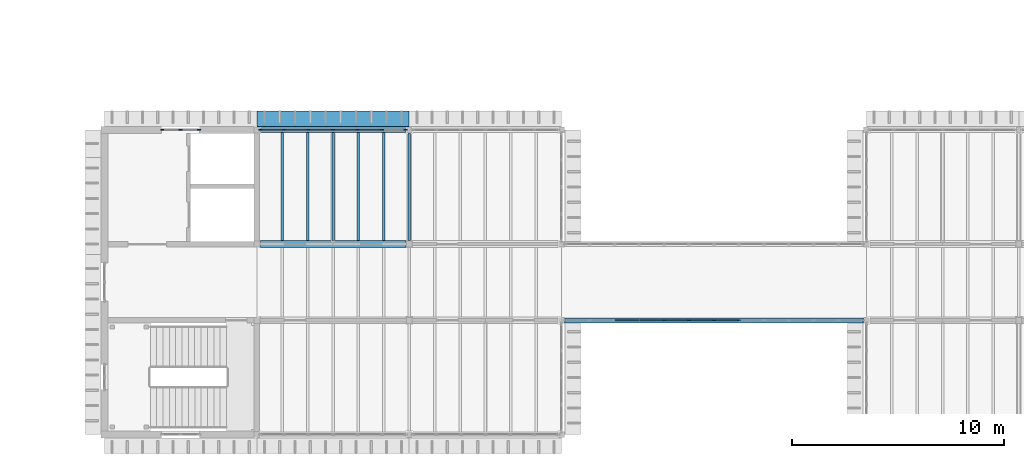
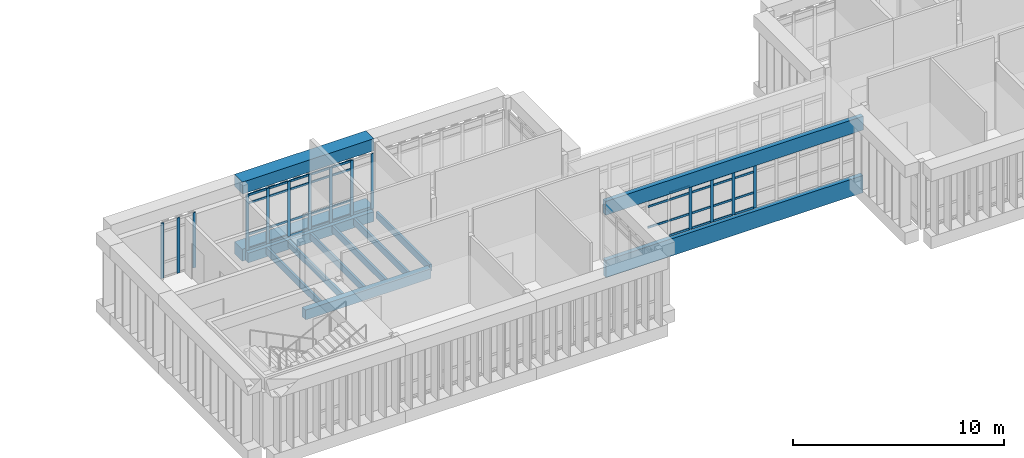
# One storey, part 8 of 51: 55 members, 10 beams, 3 elements without a shape of their own.
"""IFC4 building model written with IfcOpenShell, lengths in metres."""

from ifc_helpers import new_model, si_unit, direction, frame, origin, origin_2d, place, context, subcontext, project, spatial, rectangle, extrude, material, layer, layer_set, material_profile, profile_set, type_object, element, aggregate, save


model = new_model("IFC4")

# Units and contexts
model_context = context("Model", 3, precision=1e-05, world=origin(), true_north=direction((0.0, 1.0)))
body_context = subcontext(model_context, "Body", "Model", "MODEL_VIEW")
ifc_project = project(units=[si_unit("LENGTHUNIT", "METRE"), si_unit("AREAUNIT", "SQUARE_METRE"), si_unit("VOLUMEUNIT", "CUBIC_METRE"), si_unit("PLANEANGLEUNIT", "RADIAN"), si_unit("MASSUNIT", "GRAM", prefix="KILO")], contexts=[model_context])

# Site, building, storey
site_placement = place(None, origin())
site = spatial("IfcSite", under=ifc_project, at=site_placement, CompositionType="ELEMENT")
building_placement = place(site_placement, origin())
building = spatial("IfcBuilding", under=site, at=building_placement, Name="Mazhai Court Health Centre", CompositionType="ELEMENT")
storey_placement = place(building_placement, frame((0.0, 0.0, 14.10009765625)))
storey = spatial("IfcBuildingStorey", under=building, at=storey_placement, Name="L03", CompositionType="ELEMENT", Elevation=14.10009765625)

# Curtain wall, members
ifc_material_1 = material(Name="Teak timber frame, glazed", Category="wood")
ifc_layer_1 = layer(ifc_material_1, 0.10009765625)
ifc_layer_set_1 = layer_set([ifc_layer_1], Name="CURTAIN WALL TIMBER 900")
curtain_wall_type_1 = type_object("IfcCurtainWallType", Name="CURTAIN WALL TIMBER 900", PredefinedType="NOTDEFINED", material=ifc_layer_set_1)
curtain_wall_1_placement = place(storey_placement, origin())
curtain_wall_1 = element("IfcCurtainWall", 1, at=curtain_wall_1_placement, inside=storey, type_object=curtain_wall_type_1, Name="CW-V4-L03-B0", PredefinedType="NOTDEFINED")
ifc_material_2 = material(Name="Teak timber", Category="wood")
ifc_material_profile_1 = material_profile(ifc_material_2, rectangle(XDim=0.06005859375, YDim=0.159912109375, at=origin_2d()), Name="CW MULLION 60x160")
ifc_profile_set_1 = profile_set([ifc_material_profile_1], Name="Teak timber")
member_type_1 = type_object("IfcMemberType", Name="CW MULLION 60x160", PredefinedType="MULLION", material=ifc_profile_set_1)
member_1_placement = place(storey_placement, frame((73.72998046875, 27.800048828125, 0.0), z_axis=(0.0, 0.0, 1.0), x_axis=(0.0, 1.0, 0.0)))
member_1 = element("IfcMember", 2, at=member_1_placement, type_object=member_type_1, Name="CW mullion 1", PredefinedType="MULLION", context=body_context, shape_type="SweptSolid", body=[
    extrude(rectangle(XDim=0.06005859375, YDim=0.159912109375, at=origin_2d()), origin(), (0.0, 0.0, 1.0), 3.199951171875),
])
member_2_placement = place(storey_placement, frame((74.60009765625, 27.800048828125, 0.0), z_axis=(0.0, 0.0, 1.0), x_axis=(0.0, 1.0, 0.0)))
member_2 = element("IfcMember", 3, at=member_2_placement, type_object=member_type_1, Name="CW mullion 2", PredefinedType="MULLION", context=body_context, shape_type="SweptSolid", body=[
    extrude(rectangle(XDim=0.06005859375, YDim=0.159912109375, at=origin_2d()), origin(), (0.0, 0.0, 1.0), 3.199951171875),
])
member_3_placement = place(storey_placement, frame((75.469970703125, 27.800048828125, 0.0), z_axis=(0.0, 0.0, 1.0), x_axis=(0.0, 1.0, 0.0)))
member_3 = element("IfcMember", 4, at=member_3_placement, type_object=member_type_1, Name="CW mullion 3", PredefinedType="MULLION", context=body_context, shape_type="SweptSolid", body=[
    extrude(rectangle(XDim=0.06005859375, YDim=0.159912109375, at=origin_2d()), origin(), (0.0, 0.0, 1.0), 3.199951171875),
])
aggregate(curtain_wall_1, [member_1, member_2, member_3])

ifc_material_3 = material(Name="Teak timber frame, glazed", Category="wood")
ifc_layer_2 = layer(ifc_material_3, 0.10009765625)
ifc_layer_set_2 = layer_set([ifc_layer_2], Name="CURTAIN WALL TIMBER 1200")
curtain_wall_type_2 = type_object("IfcCurtainWallType", Name="CURTAIN WALL TIMBER 1200", PredefinedType="NOTDEFINED", material=ifc_layer_set_2)
curtain_wall_2_placement = place(storey_placement, origin())
curtain_wall_2 = element("IfcCurtainWall", 5, at=curtain_wall_2_placement, inside=storey, type_object=curtain_wall_type_2, Name="CW-V4-L03-B1", PredefinedType="NOTDEFINED")
member_4_placement = place(storey_placement, frame((78.3701171875, 27.800048828125, 0.0), z_axis=(0.0, 0.0, 1.0), x_axis=(0.0, 1.0, 0.0)))
member_4 = element("IfcMember", 6, at=member_4_placement, type_object=member_type_1, Name="CW mullion 1", PredefinedType="MULLION", context=body_context, shape_type="SweptSolid", body=[
    extrude(rectangle(XDim=0.06005859375, YDim=0.159912109375, at=origin_2d()), origin(), (0.0, 0.0, 1.0), 3.199951171875),
])
member_5_placement = place(storey_placement, frame((79.493408203125, 27.800048828125, 0.0), z_axis=(0.0, 0.0, 1.0), x_axis=(0.0, 1.0, 0.0)))
member_5 = element("IfcMember", 7, at=member_5_placement, type_object=member_type_1, Name="CW mullion 2", PredefinedType="MULLION", context=body_context, shape_type="SweptSolid", body=[
    extrude(rectangle(XDim=0.06005859375, YDim=0.159912109375, at=origin_2d()), origin(), (0.0, 0.0, 1.0), 3.199951171875),
])
member_6_placement = place(storey_placement, frame((80.646728515625, 27.800048828125, 0.0), z_axis=(0.0, 0.0, 1.0), x_axis=(0.0, 1.0, 0.0)))
member_6 = element("IfcMember", 8, at=member_6_placement, type_object=member_type_1, Name="CW mullion 3", PredefinedType="MULLION", context=body_context, shape_type="SweptSolid", body=[
    extrude(rectangle(XDim=0.06005859375, YDim=0.159912109375, at=origin_2d()), origin(), (0.0, 0.0, 1.0), 3.199951171875),
])
member_7_placement = place(storey_placement, frame((81.800048828125, 27.800048828125, 0.0), z_axis=(0.0, 0.0, 1.0), x_axis=(0.0, 1.0, 0.0)))
member_7 = element("IfcMember", 9, at=member_7_placement, type_object=member_type_1, Name="CW mullion 4", PredefinedType="MULLION", context=body_context, shape_type="SweptSolid", body=[
    extrude(rectangle(XDim=0.06005859375, YDim=0.159912109375, at=origin_2d()), origin(), (0.0, 0.0, 1.0), 3.199951171875),
])
member_8_placement = place(storey_placement, frame((82.953369140625, 27.800048828125, 0.0), z_axis=(0.0, 0.0, 1.0), x_axis=(0.0, 1.0, 0.0)))
member_8 = element("IfcMember", 10, at=member_8_placement, type_object=member_type_1, Name="CW mullion 5", PredefinedType="MULLION", context=body_context, shape_type="SweptSolid", body=[
    extrude(rectangle(XDim=0.06005859375, YDim=0.159912109375, at=origin_2d()), origin(), (0.0, 0.0, 1.0), 3.199951171875),
])
member_9_placement = place(storey_placement, frame((84.106689453125, 27.800048828125, 0.0), z_axis=(0.0, 0.0, 1.0), x_axis=(0.0, 1.0, 0.0)))
member_9 = element("IfcMember", 11, at=member_9_placement, type_object=member_type_1, Name="CW mullion 6", PredefinedType="MULLION", context=body_context, shape_type="SweptSolid", body=[
    extrude(rectangle(XDim=0.06005859375, YDim=0.159912109375, at=origin_2d()), origin(), (0.0, 0.0, 1.0), 3.199951171875),
])
member_10_placement = place(storey_placement, frame((85.22998046875, 27.800048828125, 0.0), z_axis=(0.0, 0.0, 1.0), x_axis=(0.0, 1.0, 0.0)))
member_10 = element("IfcMember", 12, at=member_10_placement, type_object=member_type_1, Name="CW mullion 7", PredefinedType="MULLION", context=body_context, shape_type="SweptSolid", body=[
    extrude(rectangle(XDim=0.06005859375, YDim=0.159912109375, at=origin_2d()), origin(), (0.0, 0.0, 1.0), 3.199951171875),
])

curtain_wall_3_placement = place(storey_placement, origin())
curtain_wall_3 = element("IfcCurtainWall", 13, at=curtain_wall_3_placement, inside=storey, type_object=curtain_wall_type_2, Name="CW-BR-LC3-S", PredefinedType="NOTDEFINED")
member_11_placement = place(storey_placement, frame((97.44677734375, 18.800048828125, 0.0), z_axis=(0.0, 0.0, 1.0), x_axis=(0.0, 1.0, 0.0)))
member_11 = element("IfcMember", 14, at=member_11_placement, type_object=member_type_1, Name="CW mullion 5", PredefinedType="MULLION", context=body_context, shape_type="SweptSolid", body=[
    extrude(rectangle(XDim=0.06005859375, YDim=0.159912109375, at=origin_2d()), origin(), (0.0, 0.0, 1.0), 2.5048828125),
])
member_12_placement = place(storey_placement, frame((98.623291015625, 18.800048828125, 0.0), z_axis=(0.0, 0.0, 1.0), x_axis=(0.0, 1.0, 0.0)))
member_12 = element("IfcMember", 15, at=member_12_placement, type_object=member_type_1, Name="CW mullion 6", PredefinedType="MULLION", context=body_context, shape_type="SweptSolid", body=[
    extrude(rectangle(XDim=0.06005859375, YDim=0.159912109375, at=origin_2d()), origin(), (0.0, 0.0, 1.0), 2.5048828125),
])
member_13_placement = place(storey_placement, frame((99.800048828125, 18.800048828125, 0.0), z_axis=(0.0, 0.0, 1.0), x_axis=(0.0, 1.0, 0.0)))
member_13 = element("IfcMember", 16, at=member_13_placement, type_object=member_type_1, Name="CW mullion 7", PredefinedType="MULLION", context=body_context, shape_type="SweptSolid", body=[
    extrude(rectangle(XDim=0.06005859375, YDim=0.159912109375, at=origin_2d()), origin(), (0.0, 0.0, 1.0), 2.5048828125),
])
member_14_placement = place(storey_placement, frame((100.9765625, 18.800048828125, 0.0), z_axis=(0.0, 0.0, 1.0), x_axis=(0.0, 1.0, 0.0)))
member_14 = element("IfcMember", 17, at=member_14_placement, type_object=member_type_1, Name="CW mullion 8", PredefinedType="MULLION", context=body_context, shape_type="SweptSolid", body=[
    extrude(rectangle(XDim=0.06005859375, YDim=0.159912109375, at=origin_2d()), origin(), (0.0, 0.0, 1.0), 2.5048828125),
])

# Member
ifc_material_4 = material(Name="Teak timber", Category="wood")
ifc_material_profile_2 = material_profile(ifc_material_4, rectangle(XDim=0.06005859375, YDim=0.1201171875, at=origin_2d()), Name="CW TRANSOM 60x120")
ifc_profile_set_2 = profile_set([ifc_material_profile_2], Name="Teak timber")
member_type_2 = type_object("IfcMemberType", Name="CW TRANSOM 60x120", PredefinedType="USERDEFINED", material=ifc_profile_set_2)
member_15_placement = place(storey_placement, frame((78.39990234375, 27.800048828125, 0.02978515625), z_axis=(1.0, 0.0, 0.0), x_axis=(0.0, 1.0, 0.0)))
member_15 = element("IfcMember", 18, at=member_15_placement, type_object=member_type_2, Name="CW transom 1.1", ObjectType="TRANSOM", PredefinedType="USERDEFINED", context=body_context, shape_type="SweptSolid", body=[
    extrude(rectangle(XDim=0.06005859375, YDim=0.1201171875, at=origin_2d()), origin(), (0.0, 0.0, 1.0), 1.0634765625),
])

member_16_placement = place(storey_placement, frame((78.39990234375, 27.800048828125, 0.89990234375), z_axis=(1.0, 0.0, 0.0), x_axis=(0.0, 1.0, 0.0)))
member_16 = element("IfcMember", 19, at=member_16_placement, type_object=member_type_2, Name="CW transom 1.2", ObjectType="TRANSOM", PredefinedType="USERDEFINED", context=body_context, shape_type="SweptSolid", body=[
    extrude(rectangle(XDim=0.06005859375, YDim=0.1201171875, at=origin_2d()), origin(), (0.0, 0.0, 1.0), 1.0634765625),
])

member_17_placement = place(storey_placement, frame((78.39990234375, 27.800048828125, 2.699951171875), z_axis=(1.0, 0.0, 0.0), x_axis=(0.0, 1.0, 0.0)))
member_17 = element("IfcMember", 20, at=member_17_placement, type_object=member_type_2, Name="CW transom 1.3", ObjectType="TRANSOM", PredefinedType="USERDEFINED", context=body_context, shape_type="SweptSolid", body=[
    extrude(rectangle(XDim=0.06005859375, YDim=0.1201171875, at=origin_2d()), origin(), (0.0, 0.0, 1.0), 1.0634765625),
])

member_18_placement = place(storey_placement, frame((78.39990234375, 27.800048828125, 3.169921875), z_axis=(1.0, 0.0, 0.0), x_axis=(0.0, 1.0, 0.0)))
member_18 = element("IfcMember", 21, at=member_18_placement, type_object=member_type_2, Name="CW transom 1.4", ObjectType="TRANSOM", PredefinedType="USERDEFINED", context=body_context, shape_type="SweptSolid", body=[
    extrude(rectangle(XDim=0.06005859375, YDim=0.1201171875, at=origin_2d()), origin(), (0.0, 0.0, 1.0), 1.0634765625),
])

member_19_placement = place(storey_placement, frame((79.5234375, 27.800048828125, 0.02978515625), z_axis=(1.0, 0.0, 0.0), x_axis=(0.0, 1.0, 0.0)))
member_19 = element("IfcMember", 22, at=member_19_placement, type_object=member_type_2, Name="CW transom 2.1", ObjectType="TRANSOM", PredefinedType="USERDEFINED", context=body_context, shape_type="SweptSolid", body=[
    extrude(rectangle(XDim=0.06005859375, YDim=0.1201171875, at=origin_2d()), origin(), (0.0, 0.0, 1.0), 1.09326171875),
])

member_20_placement = place(storey_placement, frame((79.5234375, 27.800048828125, 0.89990234375), z_axis=(1.0, 0.0, 0.0), x_axis=(0.0, 1.0, 0.0)))
member_20 = element("IfcMember", 23, at=member_20_placement, type_object=member_type_2, Name="CW transom 2.2", ObjectType="TRANSOM", PredefinedType="USERDEFINED", context=body_context, shape_type="SweptSolid", body=[
    extrude(rectangle(XDim=0.06005859375, YDim=0.1201171875, at=origin_2d()), origin(), (0.0, 0.0, 1.0), 1.09326171875),
])

member_21_placement = place(storey_placement, frame((79.5234375, 27.800048828125, 2.699951171875), z_axis=(1.0, 0.0, 0.0), x_axis=(0.0, 1.0, 0.0)))
member_21 = element("IfcMember", 24, at=member_21_placement, type_object=member_type_2, Name="CW transom 2.3", ObjectType="TRANSOM", PredefinedType="USERDEFINED", context=body_context, shape_type="SweptSolid", body=[
    extrude(rectangle(XDim=0.06005859375, YDim=0.1201171875, at=origin_2d()), origin(), (0.0, 0.0, 1.0), 1.09326171875),
])

member_22_placement = place(storey_placement, frame((79.5234375, 27.800048828125, 3.169921875), z_axis=(1.0, 0.0, 0.0), x_axis=(0.0, 1.0, 0.0)))
member_22 = element("IfcMember", 25, at=member_22_placement, type_object=member_type_2, Name="CW transom 2.4", ObjectType="TRANSOM", PredefinedType="USERDEFINED", context=body_context, shape_type="SweptSolid", body=[
    extrude(rectangle(XDim=0.06005859375, YDim=0.1201171875, at=origin_2d()), origin(), (0.0, 0.0, 1.0), 1.09326171875),
])

member_23_placement = place(storey_placement, frame((80.6767578125, 27.800048828125, 0.02978515625), z_axis=(1.0, 0.0, 0.0), x_axis=(0.0, 1.0, 0.0)))
member_23 = element("IfcMember", 26, at=member_23_placement, type_object=member_type_2, Name="CW transom 3.1", ObjectType="TRANSOM", PredefinedType="USERDEFINED", context=body_context, shape_type="SweptSolid", body=[
    extrude(rectangle(XDim=0.06005859375, YDim=0.1201171875, at=origin_2d()), origin(), (0.0, 0.0, 1.0), 1.09326171875),
])

member_24_placement = place(storey_placement, frame((80.6767578125, 27.800048828125, 0.89990234375), z_axis=(1.0, 0.0, 0.0), x_axis=(0.0, 1.0, 0.0)))
member_24 = element("IfcMember", 27, at=member_24_placement, type_object=member_type_2, Name="CW transom 3.2", ObjectType="TRANSOM", PredefinedType="USERDEFINED", context=body_context, shape_type="SweptSolid", body=[
    extrude(rectangle(XDim=0.06005859375, YDim=0.1201171875, at=origin_2d()), origin(), (0.0, 0.0, 1.0), 1.09326171875),
])

member_25_placement = place(storey_placement, frame((80.6767578125, 27.800048828125, 2.699951171875), z_axis=(1.0, 0.0, 0.0), x_axis=(0.0, 1.0, 0.0)))
member_25 = element("IfcMember", 28, at=member_25_placement, type_object=member_type_2, Name="CW transom 3.3", ObjectType="TRANSOM", PredefinedType="USERDEFINED", context=body_context, shape_type="SweptSolid", body=[
    extrude(rectangle(XDim=0.06005859375, YDim=0.1201171875, at=origin_2d()), origin(), (0.0, 0.0, 1.0), 1.09326171875),
])

member_26_placement = place(storey_placement, frame((80.6767578125, 27.800048828125, 3.169921875), z_axis=(1.0, 0.0, 0.0), x_axis=(0.0, 1.0, 0.0)))
member_26 = element("IfcMember", 29, at=member_26_placement, type_object=member_type_2, Name="CW transom 3.4", ObjectType="TRANSOM", PredefinedType="USERDEFINED", context=body_context, shape_type="SweptSolid", body=[
    extrude(rectangle(XDim=0.06005859375, YDim=0.1201171875, at=origin_2d()), origin(), (0.0, 0.0, 1.0), 1.09326171875),
])

member_27_placement = place(storey_placement, frame((81.830078125, 27.800048828125, 0.02978515625), z_axis=(1.0, 0.0, 0.0), x_axis=(0.0, 1.0, 0.0)))
member_27 = element("IfcMember", 30, at=member_27_placement, type_object=member_type_2, Name="CW transom 4.1", ObjectType="TRANSOM", PredefinedType="USERDEFINED", context=body_context, shape_type="SweptSolid", body=[
    extrude(rectangle(XDim=0.06005859375, YDim=0.1201171875, at=origin_2d()), origin(), (0.0, 0.0, 1.0), 1.09326171875),
])

member_28_placement = place(storey_placement, frame((81.830078125, 27.800048828125, 0.89990234375), z_axis=(1.0, 0.0, 0.0), x_axis=(0.0, 1.0, 0.0)))
member_28 = element("IfcMember", 31, at=member_28_placement, type_object=member_type_2, Name="CW transom 4.2", ObjectType="TRANSOM", PredefinedType="USERDEFINED", context=body_context, shape_type="SweptSolid", body=[
    extrude(rectangle(XDim=0.06005859375, YDim=0.1201171875, at=origin_2d()), origin(), (0.0, 0.0, 1.0), 1.09326171875),
])

member_29_placement = place(storey_placement, frame((81.830078125, 27.800048828125, 2.699951171875), z_axis=(1.0, 0.0, 0.0), x_axis=(0.0, 1.0, 0.0)))
member_29 = element("IfcMember", 32, at=member_29_placement, type_object=member_type_2, Name="CW transom 4.3", ObjectType="TRANSOM", PredefinedType="USERDEFINED", context=body_context, shape_type="SweptSolid", body=[
    extrude(rectangle(XDim=0.06005859375, YDim=0.1201171875, at=origin_2d()), origin(), (0.0, 0.0, 1.0), 1.09326171875),
])

member_30_placement = place(storey_placement, frame((81.830078125, 27.800048828125, 3.169921875), z_axis=(1.0, 0.0, 0.0), x_axis=(0.0, 1.0, 0.0)))
member_30 = element("IfcMember", 33, at=member_30_placement, type_object=member_type_2, Name="CW transom 4.4", ObjectType="TRANSOM", PredefinedType="USERDEFINED", context=body_context, shape_type="SweptSolid", body=[
    extrude(rectangle(XDim=0.06005859375, YDim=0.1201171875, at=origin_2d()), origin(), (0.0, 0.0, 1.0), 1.09326171875),
])

member_31_placement = place(storey_placement, frame((82.9833984375, 27.800048828125, 0.02978515625), z_axis=(1.0, 0.0, 0.0), x_axis=(0.0, 1.0, 0.0)))
member_31 = element("IfcMember", 34, at=member_31_placement, type_object=member_type_2, Name="CW transom 5.1", ObjectType="TRANSOM", PredefinedType="USERDEFINED", context=body_context, shape_type="SweptSolid", body=[
    extrude(rectangle(XDim=0.06005859375, YDim=0.1201171875, at=origin_2d()), origin(), (0.0, 0.0, 1.0), 1.09326171875),
])

member_32_placement = place(storey_placement, frame((82.9833984375, 27.800048828125, 0.89990234375), z_axis=(1.0, 0.0, 0.0), x_axis=(0.0, 1.0, 0.0)))
member_32 = element("IfcMember", 35, at=member_32_placement, type_object=member_type_2, Name="CW transom 5.2", ObjectType="TRANSOM", PredefinedType="USERDEFINED", context=body_context, shape_type="SweptSolid", body=[
    extrude(rectangle(XDim=0.06005859375, YDim=0.1201171875, at=origin_2d()), origin(), (0.0, 0.0, 1.0), 1.09326171875),
])

member_33_placement = place(storey_placement, frame((82.9833984375, 27.800048828125, 2.699951171875), z_axis=(1.0, 0.0, 0.0), x_axis=(0.0, 1.0, 0.0)))
member_33 = element("IfcMember", 36, at=member_33_placement, type_object=member_type_2, Name="CW transom 5.3", ObjectType="TRANSOM", PredefinedType="USERDEFINED", context=body_context, shape_type="SweptSolid", body=[
    extrude(rectangle(XDim=0.06005859375, YDim=0.1201171875, at=origin_2d()), origin(), (0.0, 0.0, 1.0), 1.09326171875),
])

member_34_placement = place(storey_placement, frame((82.9833984375, 27.800048828125, 3.169921875), z_axis=(1.0, 0.0, 0.0), x_axis=(0.0, 1.0, 0.0)))
member_34 = element("IfcMember", 37, at=member_34_placement, type_object=member_type_2, Name="CW transom 5.4", ObjectType="TRANSOM", PredefinedType="USERDEFINED", context=body_context, shape_type="SweptSolid", body=[
    extrude(rectangle(XDim=0.06005859375, YDim=0.1201171875, at=origin_2d()), origin(), (0.0, 0.0, 1.0), 1.09326171875),
])

aggregate(curtain_wall_2, [member_4, member_5, member_6, member_7, member_8, member_9, member_10, member_15, member_16, member_17, member_18, member_19, member_20, member_21, member_22, member_23, member_24, member_25, member_26, member_27, member_28, member_29, member_30, member_31, member_32, member_33, member_34])

member_35_placement = place(storey_placement, frame((95.123291015625, 18.800048828125, 0.89990234375), z_axis=(1.0, 0.0, 0.0), x_axis=(0.0, 1.0, 0.0)))
member_35 = element("IfcMember", 38, at=member_35_placement, type_object=member_type_2, Name="CW transom 3.2", ObjectType="TRANSOM", PredefinedType="USERDEFINED", context=body_context, shape_type="SweptSolid", body=[
    extrude(rectangle(XDim=0.06005859375, YDim=0.1201171875, at=origin_2d()), origin(), (0.0, 0.0, 1.0), 1.11669921875),
])

member_36_placement = place(storey_placement, frame((95.123291015625, 18.800048828125, 2.10498046875), z_axis=(1.0, 0.0, 0.0), x_axis=(0.0, 1.0, 0.0)))
member_36 = element("IfcMember", 39, at=member_36_placement, type_object=member_type_2, Name="CW transom 3.3", ObjectType="TRANSOM", PredefinedType="USERDEFINED", context=body_context, shape_type="SweptSolid", body=[
    extrude(rectangle(XDim=0.06005859375, YDim=0.1201171875, at=origin_2d()), origin(), (0.0, 0.0, 1.0), 1.11669921875),
])

member_37_placement = place(storey_placement, frame((95.123291015625, 18.800048828125, 2.474853515625), z_axis=(1.0, 0.0, 0.0), x_axis=(0.0, 1.0, 0.0)))
member_37 = element("IfcMember", 40, at=member_37_placement, type_object=member_type_2, Name="CW transom 3.4", ObjectType="TRANSOM", PredefinedType="USERDEFINED", context=body_context, shape_type="SweptSolid", body=[
    extrude(rectangle(XDim=0.06005859375, YDim=0.1201171875, at=origin_2d()), origin(), (0.0, 0.0, 1.0), 1.11669921875),
])

member_38_placement = place(storey_placement, frame((96.300048828125, 18.800048828125, 0.02978515625), z_axis=(1.0, 0.0, 0.0), x_axis=(0.0, 1.0, 0.0)))
member_38 = element("IfcMember", 41, at=member_38_placement, type_object=member_type_2, Name="CW transom 4.1", ObjectType="TRANSOM", PredefinedType="USERDEFINED", context=body_context, shape_type="SweptSolid", body=[
    extrude(rectangle(XDim=0.06005859375, YDim=0.1201171875, at=origin_2d()), origin(), (0.0, 0.0, 1.0), 1.11669921875),
])

member_39_placement = place(storey_placement, frame((96.300048828125, 18.800048828125, 0.89990234375), z_axis=(1.0, 0.0, 0.0), x_axis=(0.0, 1.0, 0.0)))
member_39 = element("IfcMember", 42, at=member_39_placement, type_object=member_type_2, Name="CW transom 4.2", ObjectType="TRANSOM", PredefinedType="USERDEFINED", context=body_context, shape_type="SweptSolid", body=[
    extrude(rectangle(XDim=0.06005859375, YDim=0.1201171875, at=origin_2d()), origin(), (0.0, 0.0, 1.0), 1.11669921875),
])

member_40_placement = place(storey_placement, frame((96.300048828125, 18.800048828125, 2.10498046875), z_axis=(1.0, 0.0, 0.0), x_axis=(0.0, 1.0, 0.0)))
member_40 = element("IfcMember", 43, at=member_40_placement, type_object=member_type_2, Name="CW transom 4.3", ObjectType="TRANSOM", PredefinedType="USERDEFINED", context=body_context, shape_type="SweptSolid", body=[
    extrude(rectangle(XDim=0.06005859375, YDim=0.1201171875, at=origin_2d()), origin(), (0.0, 0.0, 1.0), 1.11669921875),
])

member_41_placement = place(storey_placement, frame((96.300048828125, 18.800048828125, 2.474853515625), z_axis=(1.0, 0.0, 0.0), x_axis=(0.0, 1.0, 0.0)))
member_41 = element("IfcMember", 44, at=member_41_placement, type_object=member_type_2, Name="CW transom 4.4", ObjectType="TRANSOM", PredefinedType="USERDEFINED", context=body_context, shape_type="SweptSolid", body=[
    extrude(rectangle(XDim=0.06005859375, YDim=0.1201171875, at=origin_2d()), origin(), (0.0, 0.0, 1.0), 1.11669921875),
])

member_42_placement = place(storey_placement, frame((97.4765625, 18.800048828125, 0.02978515625), z_axis=(1.0, 0.0, 0.0), x_axis=(0.0, 1.0, 0.0)))
member_42 = element("IfcMember", 45, at=member_42_placement, type_object=member_type_2, Name="CW transom 5.1", ObjectType="TRANSOM", PredefinedType="USERDEFINED", context=body_context, shape_type="SweptSolid", body=[
    extrude(rectangle(XDim=0.06005859375, YDim=0.1201171875, at=origin_2d()), origin(), (0.0, 0.0, 1.0), 1.11669921875),
])

member_43_placement = place(storey_placement, frame((97.4765625, 18.800048828125, 0.89990234375), z_axis=(1.0, 0.0, 0.0), x_axis=(0.0, 1.0, 0.0)))
member_43 = element("IfcMember", 46, at=member_43_placement, type_object=member_type_2, Name="CW transom 5.2", ObjectType="TRANSOM", PredefinedType="USERDEFINED", context=body_context, shape_type="SweptSolid", body=[
    extrude(rectangle(XDim=0.06005859375, YDim=0.1201171875, at=origin_2d()), origin(), (0.0, 0.0, 1.0), 1.11669921875),
])

member_44_placement = place(storey_placement, frame((97.4765625, 18.800048828125, 2.10498046875), z_axis=(1.0, 0.0, 0.0), x_axis=(0.0, 1.0, 0.0)))
member_44 = element("IfcMember", 47, at=member_44_placement, type_object=member_type_2, Name="CW transom 5.3", ObjectType="TRANSOM", PredefinedType="USERDEFINED", context=body_context, shape_type="SweptSolid", body=[
    extrude(rectangle(XDim=0.06005859375, YDim=0.1201171875, at=origin_2d()), origin(), (0.0, 0.0, 1.0), 1.11669921875),
])

member_45_placement = place(storey_placement, frame((97.4765625, 18.800048828125, 2.474853515625), z_axis=(1.0, 0.0, 0.0), x_axis=(0.0, 1.0, 0.0)))
member_45 = element("IfcMember", 48, at=member_45_placement, type_object=member_type_2, Name="CW transom 5.4", ObjectType="TRANSOM", PredefinedType="USERDEFINED", context=body_context, shape_type="SweptSolid", body=[
    extrude(rectangle(XDim=0.06005859375, YDim=0.1201171875, at=origin_2d()), origin(), (0.0, 0.0, 1.0), 1.11669921875),
])

member_46_placement = place(storey_placement, frame((98.6533203125, 18.800048828125, 0.02978515625), z_axis=(1.0, 0.0, 0.0), x_axis=(0.0, 1.0, 0.0)))
member_46 = element("IfcMember", 49, at=member_46_placement, type_object=member_type_2, Name="CW transom 6.1", ObjectType="TRANSOM", PredefinedType="USERDEFINED", context=body_context, shape_type="SweptSolid", body=[
    extrude(rectangle(XDim=0.06005859375, YDim=0.1201171875, at=origin_2d()), origin(), (0.0, 0.0, 1.0), 1.11669921875),
])

member_47_placement = place(storey_placement, frame((98.6533203125, 18.800048828125, 0.89990234375), z_axis=(1.0, 0.0, 0.0), x_axis=(0.0, 1.0, 0.0)))
member_47 = element("IfcMember", 50, at=member_47_placement, type_object=member_type_2, Name="CW transom 6.2", ObjectType="TRANSOM", PredefinedType="USERDEFINED", context=body_context, shape_type="SweptSolid", body=[
    extrude(rectangle(XDim=0.06005859375, YDim=0.1201171875, at=origin_2d()), origin(), (0.0, 0.0, 1.0), 1.11669921875),
])

member_48_placement = place(storey_placement, frame((98.6533203125, 18.800048828125, 2.10498046875), z_axis=(1.0, 0.0, 0.0), x_axis=(0.0, 1.0, 0.0)))
member_48 = element("IfcMember", 51, at=member_48_placement, type_object=member_type_2, Name="CW transom 6.3", ObjectType="TRANSOM", PredefinedType="USERDEFINED", context=body_context, shape_type="SweptSolid", body=[
    extrude(rectangle(XDim=0.06005859375, YDim=0.1201171875, at=origin_2d()), origin(), (0.0, 0.0, 1.0), 1.11669921875),
])

member_49_placement = place(storey_placement, frame((98.6533203125, 18.800048828125, 2.474853515625), z_axis=(1.0, 0.0, 0.0), x_axis=(0.0, 1.0, 0.0)))
member_49 = element("IfcMember", 52, at=member_49_placement, type_object=member_type_2, Name="CW transom 6.4", ObjectType="TRANSOM", PredefinedType="USERDEFINED", context=body_context, shape_type="SweptSolid", body=[
    extrude(rectangle(XDim=0.06005859375, YDim=0.1201171875, at=origin_2d()), origin(), (0.0, 0.0, 1.0), 1.11669921875),
])

member_50_placement = place(storey_placement, frame((99.830078125, 18.800048828125, 0.02978515625), z_axis=(1.0, 0.0, 0.0), x_axis=(0.0, 1.0, 0.0)))
member_50 = element("IfcMember", 53, at=member_50_placement, type_object=member_type_2, Name="CW transom 7.1", ObjectType="TRANSOM", PredefinedType="USERDEFINED", context=body_context, shape_type="SweptSolid", body=[
    extrude(rectangle(XDim=0.06005859375, YDim=0.1201171875, at=origin_2d()), origin(), (0.0, 0.0, 1.0), 1.11669921875),
])

member_51_placement = place(storey_placement, frame((99.830078125, 18.800048828125, 0.89990234375), z_axis=(1.0, 0.0, 0.0), x_axis=(0.0, 1.0, 0.0)))
member_51 = element("IfcMember", 54, at=member_51_placement, type_object=member_type_2, Name="CW transom 7.2", ObjectType="TRANSOM", PredefinedType="USERDEFINED", context=body_context, shape_type="SweptSolid", body=[
    extrude(rectangle(XDim=0.06005859375, YDim=0.1201171875, at=origin_2d()), origin(), (0.0, 0.0, 1.0), 1.11669921875),
])

member_52_placement = place(storey_placement, frame((99.830078125, 18.800048828125, 2.10498046875), z_axis=(1.0, 0.0, 0.0), x_axis=(0.0, 1.0, 0.0)))
member_52 = element("IfcMember", 55, at=member_52_placement, type_object=member_type_2, Name="CW transom 7.3", ObjectType="TRANSOM", PredefinedType="USERDEFINED", context=body_context, shape_type="SweptSolid", body=[
    extrude(rectangle(XDim=0.06005859375, YDim=0.1201171875, at=origin_2d()), origin(), (0.0, 0.0, 1.0), 1.11669921875),
])

member_53_placement = place(storey_placement, frame((99.830078125, 18.800048828125, 2.474853515625), z_axis=(1.0, 0.0, 0.0), x_axis=(0.0, 1.0, 0.0)))
member_53 = element("IfcMember", 56, at=member_53_placement, type_object=member_type_2, Name="CW transom 7.4", ObjectType="TRANSOM", PredefinedType="USERDEFINED", context=body_context, shape_type="SweptSolid", body=[
    extrude(rectangle(XDim=0.06005859375, YDim=0.1201171875, at=origin_2d()), origin(), (0.0, 0.0, 1.0), 1.11669921875),
])

aggregate(curtain_wall_3, [member_11, member_12, member_13, member_14, member_35, member_36, member_37, member_38, member_39, member_40, member_41, member_42, member_43, member_44, member_45, member_46, member_47, member_48, member_49, member_50, member_51, member_52, member_53])

# Members
ifc_material_5 = material(Name="Glulam GL24h", Category="wood")
ifc_material_profile_3 = material_profile(ifc_material_5, rectangle(XDim=0.739990234375, YDim=0.699951171875, at=origin_2d()), Name="FIN RAIL 740x700")
ifc_profile_set_3 = profile_set([ifc_material_profile_3], Name="Glulam GL24h")
member_type_3 = type_object("IfcMemberType", Name="FIN RAIL 740x700", PredefinedType="USERDEFINED", material=ifc_profile_set_3)
member_54_placement = place(storey_placement, frame((78.199951171875, 28.330078125, -0.35009765625), z_axis=(1.0, 0.0, 0.0), x_axis=(0.0, 1.0, 0.0)))
element("IfcMember", 57, at=member_54_placement, inside=storey, type_object=member_type_3, Name="FR-V4-B1-L03", ObjectType="FIN RAIL", PredefinedType="USERDEFINED", context=body_context, shape_type="SweptSolid", body=[
    extrude(rectangle(XDim=0.739990234375, YDim=0.699951171875, at=origin_2d()), origin(), (0.0, 0.0, 1.0), 7.199951171875),
])
ifc_material_6 = material(Name="Glulam GL24h", Category="wood")
ifc_material_profile_4 = material_profile(ifc_material_6, rectangle(XDim=0.760009765625, YDim=0.699951171875, at=origin_2d()), Name="FIN RAIL 760x700")
ifc_profile_set_4 = profile_set([ifc_material_profile_4], Name="Glulam GL24h")
member_type_4 = type_object("IfcMemberType", Name="FIN RAIL 760x700", PredefinedType="USERDEFINED", material=ifc_profile_set_4)
member_55_placement = place(storey_placement, frame((78.199951171875, 28.320068359375, 3.5498046875), z_axis=(1.0, 0.0, 0.0), x_axis=(0.0, 1.0, 0.0)))
element("IfcMember", 58, at=member_55_placement, inside=storey, type_object=member_type_4, Name="FR-V4-B1-RF", ObjectType="FIN RAIL", PredefinedType="USERDEFINED", context=body_context, shape_type="SweptSolid", body=[
    extrude(rectangle(XDim=0.760009765625, YDim=0.699951171875, at=origin_2d()), origin(), (0.0, 0.0, 1.0), 7.199951171875),
])

# Beams
ifc_material_7 = material(Name="Glulam GL24h", Category="wood")
ifc_material_profile_5 = material_profile(ifc_material_7, rectangle(XDim=0.1201171875, YDim=0.39990234375, at=origin_2d()), Name="GL24h 120x400")
ifc_profile_set_5 = profile_set([ifc_material_profile_5], Name="Glulam GL24h")
beam_type_1 = type_object("IfcBeamType", Name="GL24h 120x400 joist", PredefinedType="JOIST", material=ifc_profile_set_5)
for number, where, z_axis, x_axis, name in (
    (59, (79.39990234375, 22.56005859375, -0.320068359375), (0.0, 1.0, 0.0), (-1.0, 0.0, 0.0), "joist-V4-L03-1-C1"),
    (60, (80.60009765625, 22.56005859375, -0.320068359375), (0.0, 1.0, 0.0), (-1.0, 0.0, 0.0), "joist-V4-L03-1-C2"),
    (61, (81.800048828125, 22.56005859375, -0.320068359375), (0.0, 1.0, 0.0), (-1.0, 0.0, 0.0), "joist-V4-L03-1-C3"),
    (62, (83.0, 22.56005859375, -0.320068359375), (0.0, 1.0, 0.0), (-1.0, 0.0, 0.0), "joist-V4-L03-1-C4"),
    (63, (84.199951171875, 22.56005859375, -0.320068359375), (0.0, 1.0, 0.0), (-1.0, 0.0, 0.0), "joist-V4-L03-1-C5"),
):
    element("IfcBeam", number, at=place(storey_placement, frame(where, z_axis=z_axis, x_axis=x_axis)), inside=storey, type_object=beam_type_1, Name=name, PredefinedType="JOIST", context=body_context, shape_type="SweptSolid", body=[
        extrude(rectangle(XDim=0.1201171875, YDim=0.39990234375, at=origin_2d()), origin(), (0.0, 0.0, 1.0), 5.119873046875),
    ])
beam_1_placement = place(storey_placement, frame((85.39990234375, 22.56005859375, -0.320068359375), z_axis=(0.0, 1.0, 0.0), x_axis=(-1.0, 0.0, 0.0)))
element("IfcBeam", 64, at=beam_1_placement, inside=storey, type_object=beam_type_1, Name="joist-V4-L03-2-C0", PredefinedType="JOIST", context=body_context, shape_type="SweptSolid", body=[
    extrude(rectangle(XDim=0.1201171875, YDim=0.39990234375, at=origin_2d()), origin(), (0.0, 0.0, 1.0), 5.079833984375),
])
ifc_material_8 = material(Name="Glulam GL28h", Category="wood")
ifc_material_profile_6 = material_profile(ifc_material_8, rectangle(XDim=0.239990234375, YDim=1.0, at=origin_2d()), Name="GL28h 240x1000")
ifc_profile_set_6 = profile_set([ifc_material_profile_6], Name="Glulam GL28h")
beam_type_2 = type_object("IfcBeamType", Name="GL28h 240x1000 girder", PredefinedType="BEAM", material=ifc_profile_set_6)
beam_2_placement = place(storey_placement, frame((92.760009765625, 18.800048828125, -0.6201171875), z_axis=(1.0, 0.0, 0.0), x_axis=(0.0, 1.0, 0.0)))
element("IfcBeam", 65, at=beam_2_placement, inside=storey, type_object=beam_type_2, Name="girder-BR-LC3-S", PredefinedType="BEAM", context=body_context, shape_type="SweptSolid", body=[
    extrude(rectangle(XDim=0.239990234375, YDim=1.0, at=origin_2d()), origin(), (0.0, 0.0, 1.0), 14.080078125),
])
ifc_material_9 = material(Name="Glulam GL28h", Category="wood")
ifc_material_profile_7 = material_profile(ifc_material_9, rectangle(XDim=0.239990234375, YDim=0.56005859375, at=origin_2d()), Name="GL28h 240x560")
ifc_profile_set_7 = profile_set([ifc_material_profile_7], Name="Glulam GL28h")
beam_type_3 = type_object("IfcBeamType", Name="GL28h 240x560 beam", PredefinedType="BEAM", material=ifc_profile_set_7)
beam_3_placement = place(storey_placement, frame((78.360107421875, 27.800048828125, -0.400146484375), z_axis=(1.0, 0.0, 0.0), x_axis=(0.0, 1.0, 0.0)))
element("IfcBeam", 66, at=beam_3_placement, inside=storey, type_object=beam_type_3, Name="beam-V4-L03-1-D", PredefinedType="BEAM", context=body_context, shape_type="SweptSolid", body=[
    extrude(rectangle(XDim=0.239990234375, YDim=0.56005859375, at=origin_2d()), origin(), (0.0, 0.0, 1.0), 6.8798828125),
])
ifc_material_10 = material(Name="Glulam GL28h", Category="wood")
ifc_material_profile_8 = material_profile(ifc_material_10, rectangle(XDim=0.239990234375, YDim=0.800048828125, at=origin_2d()), Name="GL28h 240x800")
ifc_profile_set_8 = profile_set([ifc_material_profile_8], Name="Glulam GL28h")
beam_type_4 = type_object("IfcBeamType", Name="GL28h 240x800 roof beam", PredefinedType="BEAM", material=ifc_profile_set_8)
beam_4_placement = place(storey_placement, frame((92.739990234375, 18.800048828125, 2.90478515625), z_axis=(1.0, 0.0, 0.0), x_axis=(0.0, 1.0, 0.0)))
element("IfcBeam", 67, at=beam_4_placement, inside=storey, type_object=beam_type_4, Name="beam-BR-LC3-roof-S", PredefinedType="BEAM", context=body_context, shape_type="SweptSolid", body=[
    extrude(rectangle(XDim=0.239990234375, YDim=0.800048828125, at=origin_2d()), origin(), (0.0, 0.0, 1.0), 14.1201171875),
])
ifc_material_11 = material(Name="Glulam GL28h", Category="wood")
ifc_material_profile_9 = material_profile(ifc_material_11, rectangle(XDim=0.320068359375, YDim=0.56005859375, at=origin_2d()), Name="GL28h 320x560")
ifc_profile_set_9 = profile_set([ifc_material_profile_9], Name="Glulam GL28h")
beam_type_5 = type_object("IfcBeamType", Name="GL28h 320x560 beam", PredefinedType="BEAM", material=ifc_profile_set_9)
beam_5_placement = place(storey_placement, frame((78.360107421875, 22.39990234375, -0.400146484375), z_axis=(1.0, 0.0, 0.0), x_axis=(0.0, 1.0, 0.0)))
element("IfcBeam", 68, at=beam_5_placement, inside=storey, type_object=beam_type_5, Name="beam-V4-L03-1-C", PredefinedType="BEAM", context=body_context, shape_type="SweptSolid", body=[
    extrude(rectangle(XDim=0.320068359375, YDim=0.56005859375, at=origin_2d()), origin(), (0.0, 0.0, 1.0), 6.8798828125),
])

save(model, "model.ifc")
